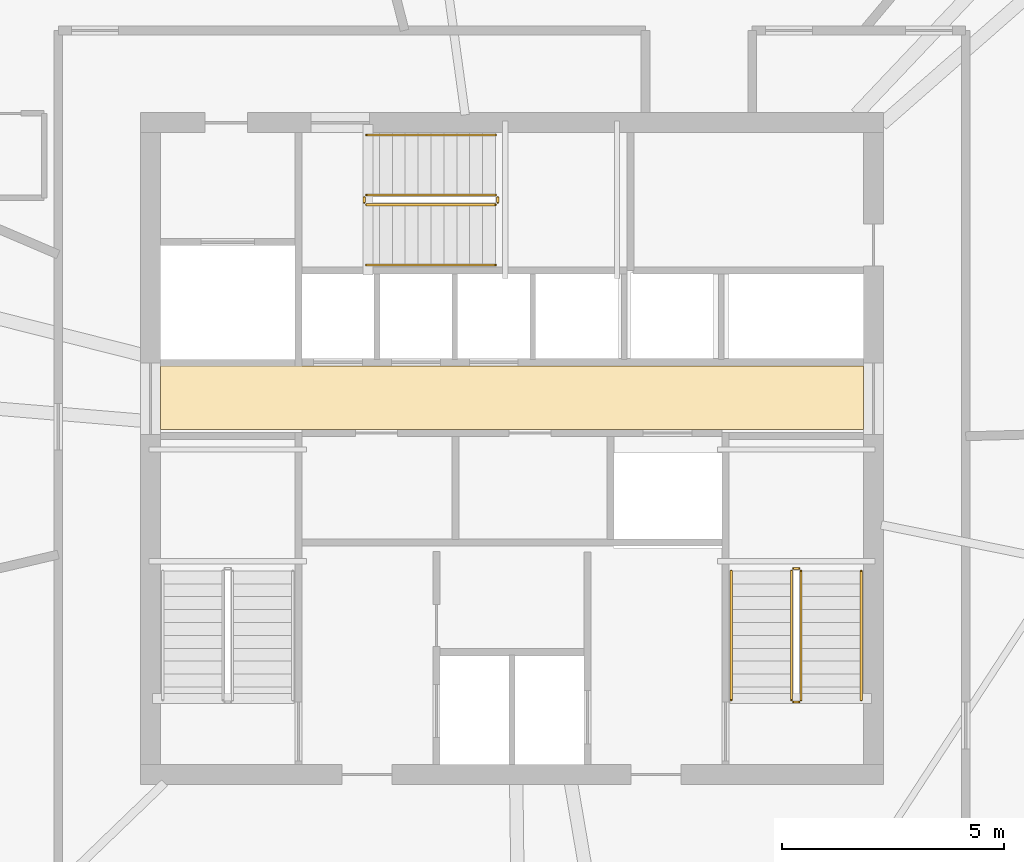
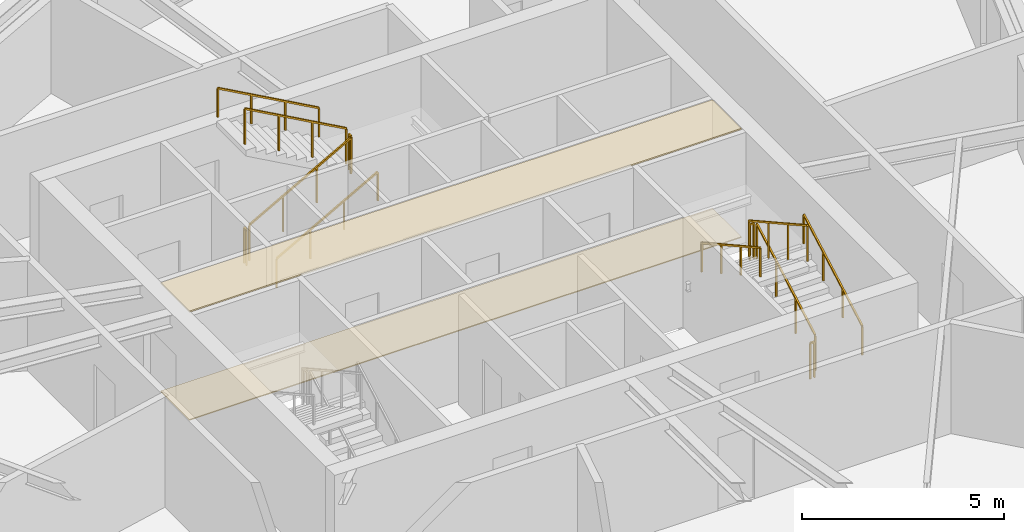
# One storey, part 13 of 14: 12 railings, 2 coverings.
"""IFC4 building model written with IfcOpenShell, lengths in metres."""

import ifcopenshell
import ifcopenshell.guid

model = None  # the IFC model being written
_history = None  # IfcOwnerHistory: only IFC2X3 demands one
_inside = {}  # id of a spatial element -> (the spatial element, [elements in it])
_under = {}  # id of a project, library or spatial element -> (it, [spatial elements below it])
_declared = {}  # id of a project -> (the project, [libraries it declares])
_typed = {}  # id of a type object -> (the type object, [elements of that type])
_made_of = {}  # id of a material, layer set ... -> (it, [elements and type objects made of it])


def new_model(schema):
    """Start an empty IFC model of exactly this schema.

    Asked for "IFC4X3", IfcOpenShell would pick the latest addendum, in which some entities
    have other attributes; the version numbers below select the first issue.
    IFC2X3 requires an IfcOwnerHistory on every rooted entity: one is made here for all.
    """
    global model, _history
    if schema == "IFC4X3":
        model = ifcopenshell.file(schema_version=(4, 3, 0, 0))
    else:
        model = ifcopenshell.file(schema=schema)
    _inside.clear()
    _under.clear()
    _declared.clear()
    _typed.clear()
    _made_of.clear()
    _history = None
    if model.schema == "IFC2X3":
        org = make("IfcOrganization", Name="unknown")
        user = make(
            "IfcPersonAndOrganization",
            ThePerson=make("IfcPerson", FamilyName="unknown"),
            TheOrganization=org,
        )
        app = make(
            "IfcApplication",
            ApplicationDeveloper=org,
            Version="unknown",
            ApplicationFullName="unknown",
            ApplicationIdentifier="unknown",
        )
        _history = make(
            "IfcOwnerHistory",
            OwningUser=user,
            OwningApplication=app,
            ChangeAction="ADDED",
            CreationDate=0,
        )
    return model


def make(cls, **values):
    """One entity of the class cls with the attributes given. An attribute that is None is left unset."""
    return model.create_entity(
        cls, **{name: value for name, value in values.items() if value is not None}
    )


def rooted(cls, **values):
    """An entity with a GlobalId (a new one), such as an element, a storey or a relation."""
    return make(cls, GlobalId=ifcopenshell.guid.new(), OwnerHistory=_history, **values)


def si_unit(unit_type, name, prefix=None):
    """IfcSIUnit, for example si_unit("LENGTHUNIT", "METRE", prefix="MILLI")."""
    return make("IfcSIUnit", UnitType=unit_type, Prefix=prefix, Name=name)


def assignment(units):
    """IfcUnitAssignment: the units of a project."""
    return None if units is None else make("IfcUnitAssignment", Units=units)


def point(xyz):
    """IfcCartesianPoint."""
    return None if xyz is None else make("IfcCartesianPoint", Coordinates=xyz)


def direction(xyz):
    """IfcDirection."""
    return None if xyz is None else make("IfcDirection", DirectionRatios=xyz)


def frame(location, z_axis=None, x_axis=None):
    """IfcAxis2Placement3D, a coordinate frame: its origin and axes. An axis left out is left unset."""
    return make(
        "IfcAxis2Placement3D",
        Location=point(location),
        Axis=direction(z_axis),
        RefDirection=direction(x_axis),
    )


def frame_2d(location, x_axis=None):
    """IfcAxis2Placement2D, a coordinate frame in the plane: its origin and x axis."""
    return make(
        "IfcAxis2Placement2D", Location=point(location), RefDirection=direction(x_axis)
    )


def origin():
    """The frame at (0, 0, 0) with its axes left unset."""
    return frame((0.0, 0.0, 0.0))


def origin_2d():
    """The frame at (0, 0) in the plane with its x axis left unset."""
    return frame_2d((0.0, 0.0))


def place(relative_to, where):
    """IfcLocalPlacement: puts the frame where relative to a parent placement (None: the world)."""
    return make(
        "IfcLocalPlacement", PlacementRelTo=relative_to, RelativePlacement=where
    )


def context(
    kind, dimensions, precision=None, world=None, true_north=None, identifier=None
):
    """IfcGeometricRepresentationContext, for example the 3D "Model" context."""
    return make(
        "IfcGeometricRepresentationContext",
        ContextIdentifier=identifier,
        ContextType=kind,
        CoordinateSpaceDimension=dimensions,
        Precision=precision,
        WorldCoordinateSystem=world,
        TrueNorth=true_north,
    )


def subcontext(parent, identifier, kind, view, scale=None):
    """IfcGeometricRepresentationSubContext, for example "Body" below "Model"."""
    return make(
        "IfcGeometricRepresentationSubContext",
        ContextIdentifier=identifier,
        ContextType=kind,
        ParentContext=parent,
        TargetScale=scale,
        TargetView=view,
    )


def project(units=None, contexts=None):
    """IfcProject with its units and contexts."""
    return rooted(
        "IfcProject",
        Name="project",
        RepresentationContexts=contexts,
        UnitsInContext=assignment(units),
    )


def spatial(cls, under=None, at=None, **own):
    """A site, building, storey or space (cls), placed at a placement, below another one or the project."""
    s = rooted(cls, ObjectPlacement=at, **own)
    if under is not None:
        _under.setdefault(under.id(), (under, []))[1].append(s)
    return s


def polyline(points):
    """IfcPolyline through the points."""
    return make("IfcPolyline", Points=[point(p) for p in points])


def profile(cls, at=None, kind="AREA", **sizes):
    """A parametric profile (cls). Its sizes go by their IFC names, for example OverallWidth=200.0."""
    return make(cls, ProfileType=kind, Position=at, **sizes)


def rectangle(**sizes):
    """IfcRectangleProfileDef."""
    return profile("IfcRectangleProfileDef", **sizes)


def outline(outer, holes=None, kind="AREA"):
    """IfcArbitraryClosedProfileDef: a profile drawn as a closed curve; with holes, ...WithVoids."""
    if holes is None:
        return make("IfcArbitraryClosedProfileDef", ProfileType=kind, OuterCurve=outer)
    return make(
        "IfcArbitraryProfileDefWithVoids",
        ProfileType=kind,
        OuterCurve=outer,
        InnerCurves=holes,
    )


def extrude(swept, where, along, depth):
    """IfcExtrudedAreaSolid: the profile swept, set in the frame where, extruded along a direction by depth."""
    return make(
        "IfcExtrudedAreaSolid",
        SweptArea=swept,
        Position=where,
        ExtrudedDirection=direction(along),
        Depth=depth,
    )


def shape(context_of_items, identifier, shape_type, items):
    """IfcShapeRepresentation: the items that make up one representation, for example the "Body"."""
    return make(
        "IfcShapeRepresentation",
        ContextOfItems=context_of_items,
        RepresentationIdentifier=identifier,
        RepresentationType=shape_type,
        Items=items,
    )


def material(Name=None, Category=None):
    """IfcMaterial."""
    return make("IfcMaterial", Name=Name, Category=Category)


def layer(
    of_material, thickness, ventilated=None, Name=None, Category=None, Priority=None
):
    """IfcMaterialLayer: one layer of a wall or slab, of a material (None: an air gap)."""
    return make(
        "IfcMaterialLayer",
        Material=of_material,
        LayerThickness=thickness,
        IsVentilated=ventilated,
        Name=Name,
        Category=Category,
        Priority=Priority,
    )


def layer_set(layers, Name=None):
    """IfcMaterialLayerSet."""
    return make("IfcMaterialLayerSet", MaterialLayers=layers, LayerSetName=Name)


def made_of(thing, what):
    """Note that an element or type object is made of a material, layer set ...; save() writes the relation."""
    if what is not None:
        _made_of.setdefault(what.id(), (what, []))[1].append(thing)
    return thing


def type_object(cls, material=None, **own):
    """A type object (cls), such as IfcWallType, which elements share."""
    return made_of(rooted(cls, **own), material)


def element(
    cls,
    number,
    at=None,
    inside=None,
    cuts=None,
    type_object=None,
    material=None,
    context=None,
    identifier="Body",
    shape_type=None,
    held_by="IfcProductDefinitionShape",
    body=None,
    shapes=None,
    **own,
):
    """One element of the class cls, such as IfcWall. Its Tag is "e" and its number.

    at: its placement. inside: the storey or other place that contains it. cuts: it is an
    opening in that element (IfcRelVoidsElement). A single representation is given by context,
    identifier, shape_type and body (its items); several are given by shapes. held_by: the class
    of the entity that holds the representations. save() writes the other relations.
    """
    e = rooted(cls, Tag="e%d" % number, ObjectPlacement=at, **own)
    if body is not None:
        shapes = [shape(context, identifier, shape_type, body)]
    if shapes is not None:
        e.Representation = make(held_by, Representations=shapes)
    if inside is not None:
        _inside.setdefault(inside.id(), (inside, []))[1].append(e)
    if cuts is not None:
        rooted(
            "IfcRelVoidsElement", RelatingBuildingElement=cuts, RelatedOpeningElement=e
        )
    if type_object is not None:
        _typed.setdefault(type_object.id(), (type_object, []))[1].append(e)
    return made_of(e, material)


def aggregate(whole, parts):
    """IfcRelAggregates: a whole, such as a stair, and the parts it consists of."""
    return rooted("IfcRelAggregates", RelatingObject=whole, RelatedObjects=parts)


def save(model, path):
    """Write the relations noted so far, then the file.

    IfcRelAggregates (storeys below a building ...), IfcRelContainedInSpatialStructure (elements
    in a storey), IfcRelDefinesByType, IfcRelAssociatesMaterial and IfcRelDeclares: one each for
    every whole, place, type object, material and project.
    """
    for whole, parts in _under.values():
        aggregate(whole, parts)
    for where, things in _inside.values():
        rooted(
            "IfcRelContainedInSpatialStructure",
            RelatedElements=things,
            RelatingStructure=where,
        )
    for kind, things in _typed.values():
        rooted("IfcRelDefinesByType", RelatedObjects=things, RelatingType=kind)
    for what, things in _made_of.values():
        rooted("IfcRelAssociatesMaterial", RelatedObjects=things, RelatingMaterial=what)
    for by, libraries in _declared.values():
        rooted("IfcRelDeclares", RelatingContext=by, RelatedDefinitions=libraries)
    model.write(path)


model = new_model("IFC4")

# Units and contexts
model_context = context("Model", 3, precision=1e-05, world=origin(), true_north=direction((0.0, 1.0)))
body_context = subcontext(model_context, "Body", "Model", "MODEL_VIEW")
ifc_project = project(units=[si_unit("LENGTHUNIT", "METRE"), si_unit("AREAUNIT", "SQUARE_METRE"), si_unit("VOLUMEUNIT", "CUBIC_METRE"), si_unit("PLANEANGLEUNIT", "RADIAN"), si_unit("MASSUNIT", "GRAM", prefix="KILO")], contexts=[model_context])

# Site, building, storey
site_placement = place(None, origin())
site = spatial("IfcSite", under=ifc_project, at=site_placement, CompositionType="ELEMENT")
building_placement = place(site_placement, origin())
building = spatial("IfcBuilding", under=site, at=building_placement, Name="Olszyna Solenne Hotel", CompositionType="ELEMENT")
storey_placement = place(building_placement, frame((0.0, 0.0, 216.699951171875)))
storey = spatial("IfcBuildingStorey", under=building, at=storey_placement, Name="L57", CompositionType="ELEMENT", Elevation=216.699951171875)

# Coverings
ifc_material_1 = material(Name="Mineral wool acoustic ceiling")
ifc_layer_1 = layer(ifc_material_1, 0.0400390625, Name="Mineral wool acoustic ceiling")
ifc_layer_set_1 = layer_set([ifc_layer_1], Name="Mineral wool acoustic ceiling")
covering_type_1 = type_object("IfcCoveringType", Name="CL-AC1", PredefinedType="CEILING", material=ifc_layer_set_1)
covering_1_placement = place(storey_placement, frame((0.0, 0.0, 3.27001953125)))
element("IfcCovering", 1, at=covering_1_placement, inside=storey, type_object=covering_type_1, Name="Lift lobby acoustic tile ceiling CL-L57-01", PredefinedType="CEILING", context=body_context, shape_type="SweptSolid", body=[
    extrude(outline(polyline([(30.10009765625, 27.030029296875), (45.89990234375, 27.030029296875), (45.89990234375, 28.4599609375), (30.10009765625, 28.4599609375), (30.10009765625, 27.030029296875)])), origin(), (0.0, 0.0, 1.0), 0.0400390625),
])
ifc_material_2 = material(Name="Ceramic floor tile")
ifc_layer_2 = layer(ifc_material_2, 0.030029296875, Name="Ceramic floor tile")
ifc_layer_set_2 = layer_set([ifc_layer_2], Name="Ceramic floor tile")
covering_type_2 = type_object("IfcCoveringType", Name="FL-TL1", PredefinedType="FLOORING", material=ifc_layer_set_2)
covering_2_placement = place(storey_placement, origin())
element("IfcCovering", 2, at=covering_2_placement, inside=storey, type_object=covering_type_2, Name="Lift lobby stoneware floor finish FLR-L57-01", PredefinedType="FLOORING", context=body_context, shape_type="SweptSolid", body=[
    extrude(outline(polyline([(30.10009765625, 27.030029296875), (45.89990234375, 27.030029296875), (45.89990234375, 28.4599609375), (30.10009765625, 28.4599609375), (30.10009765625, 27.030029296875)])), origin(), (0.0, 0.0, 1.0), 0.030029296875),
])

# Railings
ifc_material_3 = material(Name="Anodised bronze aluminium", Category="aluminium")
railing_type_1 = type_object("IfcRailingType", Name="GR-110", PredefinedType="BALUSTRADE", material=ifc_material_3)
railing_1_placement = place(storey_placement, frame((44.5, 20.949951171875, 0.161376953125)))
element("IfcRailing", 3, at=railing_1_placement, inside=storey, type_object=railing_type_1, Name="L57 ST2 stair guard 1", PredefinedType="BALUSTRADE", context=body_context, shape_type="SweptSolid", body=[
    extrude(rectangle(XDim=0.048095703125, YDim=0.048095703125, at=origin_2d()), frame((0.0, 0.0, 1.076171875), z_axis=(0.0, 0.873827439584, 0.48623616261), x_axis=(-1.0, 0.0, 0.0)), (0.0, 0.0, 1.0), 3.31884765625),
    extrude(rectangle(XDim=0.0419921875, YDim=0.0419921875, at=origin_2d()), origin(), (0.0, 0.0, 1.0), 1.052001953125),
    extrude(rectangle(XDim=0.0419921875, YDim=0.0419921875, at=origin_2d()), frame((0.0, 0.966796875, 0.537841796875)), (0.0, 0.0, 1.0), 1.052001953125),
    extrude(rectangle(XDim=0.0419921875, YDim=0.0419921875, at=origin_2d()), frame((0.0, 1.933349609375, 1.075927734375)), (0.0, 0.0, 1.0), 1.052001953125),
    extrude(rectangle(XDim=0.0419921875, YDim=0.0419921875, at=origin_2d()), frame((0.0, 2.900146484375, 1.61376953125)), (0.0, 0.0, 1.0), 1.052001953125),
])
railing_2_placement = place(storey_placement, frame((44.449951171875, 23.89990234375, 1.775146484375)))
element("IfcRailing", 4, at=railing_2_placement, inside=storey, type_object=railing_type_1, Name="L57 ST2 stair guard 2", PredefinedType="BALUSTRADE", context=body_context, shape_type="SweptSolid", body=[
    extrude(rectangle(XDim=0.048095703125, YDim=0.048095703125, at=origin_2d()), frame((0.0, 0.0, 1.076171875), z_axis=(-1.0, 0.0, 0.0), x_axis=(0.0, -1.0, 0.0)), (0.0, 0.0, 1.0), 0.119873046875),
    extrude(rectangle(XDim=0.0419921875, YDim=0.0419921875, at=origin_2d()), origin(), (0.0, 0.0, 1.0), 1.052001953125),
    extrude(rectangle(XDim=0.0419921875, YDim=0.0419921875, at=origin_2d()), frame((-0.119873046875, 0.0, 0.0)), (0.0, 0.0, 1.0), 1.052001953125),
])
railing_3_placement = place(storey_placement, frame((44.280029296875, 23.85009765625, 1.9365234375)))
element("IfcRailing", 5, at=railing_3_placement, inside=storey, type_object=railing_type_1, Name="L57 ST2 stair guard 3", PredefinedType="BALUSTRADE", context=body_context, shape_type="SweptSolid", body=[
    extrude(rectangle(XDim=0.048095703125, YDim=0.048095703125, at=origin_2d()), frame((0.0, 0.0, 1.076171875), z_axis=(0.0, -0.873858693841, 0.486179990537), x_axis=(1.0, 0.0, 0.0)), (0.0, 0.0, 1.0), 3.31884765625),
    extrude(rectangle(XDim=0.0419921875, YDim=0.0419921875, at=origin_2d()), origin(), (0.0, 0.0, 1.0), 1.052001953125),
    extrude(rectangle(XDim=0.0419921875, YDim=0.0419921875, at=origin_2d()), frame((0.0, -0.966796875, 0.537841796875)), (0.0, 0.0, 1.0), 1.052001953125),
    extrude(rectangle(XDim=0.0419921875, YDim=0.0419921875, at=origin_2d()), frame((0.0, -1.933349609375, 1.07568359375)), (0.0, 0.0, 1.0), 1.052001953125),
    extrude(rectangle(XDim=0.0419921875, YDim=0.0419921875, at=origin_2d()), frame((0.0, -2.900146484375, 1.613525390625)), (0.0, 0.0, 1.0), 1.052001953125),
])
railing_4_placement = place(storey_placement, frame((44.449951171875, 20.89990234375, 0.0)))
element("IfcRailing", 6, at=railing_4_placement, inside=storey, type_object=railing_type_1, Name="L57 ST2 stair guard 4", PredefinedType="BALUSTRADE", context=body_context, shape_type="SweptSolid", body=[
    extrude(rectangle(XDim=0.048095703125, YDim=0.048095703125, at=origin_2d()), frame((0.0, 0.0, 1.076171875), z_axis=(-1.0, 0.0, 0.0), x_axis=(0.0, -1.0, 0.0)), (0.0, 0.0, 1.0), 0.119873046875),
    extrude(rectangle(XDim=0.0419921875, YDim=0.0419921875, at=origin_2d()), origin(), (0.0, 0.0, 1.0), 1.052001953125),
    extrude(rectangle(XDim=0.0419921875, YDim=0.0419921875, at=origin_2d()), frame((-0.119873046875, 0.0, 0.0)), (0.0, 0.0, 1.0), 1.052001953125),
])
railing_5_placement = place(storey_placement, frame((34.72998046875, 32.080078125, 0.161376953125)))
element("IfcRailing", 7, at=railing_5_placement, inside=storey, type_object=railing_type_1, Name="L57 ST3 stair guard 1", PredefinedType="BALUSTRADE", context=body_context, shape_type="SweptSolid", body=[
    extrude(rectangle(XDim=0.048095703125, YDim=0.048095703125, at=origin_2d()), frame((0.0, 0.0, 1.076171875), z_axis=(0.873810046276, 0.0, 0.486267419253), x_axis=(0.0, 1.0, 0.0)), (0.0, 0.0, 1.0), 3.318603515625),
    extrude(rectangle(XDim=0.0419921875, YDim=0.0419921875, at=origin_2d()), origin(), (0.0, 0.0, 1.0), 1.052001953125),
    extrude(rectangle(XDim=0.0419921875, YDim=0.0419921875, at=origin_2d()), frame((0.966552734375, 0.0, 0.537841796875)), (0.0, 0.0, 1.0), 1.052001953125),
    extrude(rectangle(XDim=0.0419921875, YDim=0.0419921875, at=origin_2d()), frame((1.933349609375, 0.0, 1.075927734375)), (0.0, 0.0, 1.0), 1.052001953125),
    extrude(rectangle(XDim=0.0419921875, YDim=0.0419921875, at=origin_2d()), frame((2.89990234375, 0.0, 1.61376953125)), (0.0, 0.0, 1.0), 1.052001953125),
])
railing_6_placement = place(storey_placement, frame((37.679931640625, 32.1298828125, 1.775146484375)))
element("IfcRailing", 8, at=railing_6_placement, inside=storey, type_object=railing_type_1, Name="L57 ST3 stair guard 2", PredefinedType="BALUSTRADE", context=body_context, shape_type="SweptSolid", body=[
    extrude(rectangle(XDim=0.048095703125, YDim=0.048095703125, at=origin_2d()), frame((0.0, 0.0, 1.076171875), z_axis=(0.0, 1.0, 0.0), x_axis=(-1.0, 0.0, 0.0)), (0.0, 0.0, 1.0), 0.1201171875),
    extrude(rectangle(XDim=0.0419921875, YDim=0.0419921875, at=origin_2d()), origin(), (0.0, 0.0, 1.0), 1.052001953125),
    extrude(rectangle(XDim=0.0419921875, YDim=0.0419921875, at=origin_2d()), frame((0.0, 0.1201171875, 0.0)), (0.0, 0.0, 1.0), 1.052001953125),
])
railing_7_placement = place(storey_placement, frame((37.6298828125, 32.300048828125, 1.9365234375)))
element("IfcRailing", 9, at=railing_7_placement, inside=storey, type_object=railing_type_1, Name="L57 ST3 stair guard 3", PredefinedType="BALUSTRADE", context=body_context, shape_type="SweptSolid", body=[
    extrude(rectangle(XDim=0.048095703125, YDim=0.048095703125, at=origin_2d()), frame((0.0, 0.0, 1.076171875), z_axis=(-0.873841303929, 0.0, 0.486211245805), x_axis=(0.0, -1.0, 0.0)), (0.0, 0.0, 1.0), 3.318603515625),
    extrude(rectangle(XDim=0.0419921875, YDim=0.0419921875, at=origin_2d()), origin(), (0.0, 0.0, 1.0), 1.052001953125),
    extrude(rectangle(XDim=0.0419921875, YDim=0.0419921875, at=origin_2d()), frame((-0.966552734375, 0.0, 0.537841796875)), (0.0, 0.0, 1.0), 1.052001953125),
    extrude(rectangle(XDim=0.0419921875, YDim=0.0419921875, at=origin_2d()), frame((-1.933349609375, 0.0, 1.07568359375)), (0.0, 0.0, 1.0), 1.052001953125),
    extrude(rectangle(XDim=0.0419921875, YDim=0.0419921875, at=origin_2d()), frame((-2.89990234375, 0.0, 1.613525390625)), (0.0, 0.0, 1.0), 1.052001953125),
])
railing_8_placement = place(storey_placement, frame((34.679931640625, 32.1298828125, 0.0)))
element("IfcRailing", 10, at=railing_8_placement, inside=storey, type_object=railing_type_1, Name="L57 ST3 stair guard 4", PredefinedType="BALUSTRADE", context=body_context, shape_type="SweptSolid", body=[
    extrude(rectangle(XDim=0.048095703125, YDim=0.048095703125, at=origin_2d()), frame((0.0, 0.0, 1.076171875), z_axis=(0.0, 1.0, 0.0), x_axis=(-1.0, 0.0, 0.0)), (0.0, 0.0, 1.0), 0.1201171875),
    extrude(rectangle(XDim=0.0419921875, YDim=0.0419921875, at=origin_2d()), origin(), (0.0, 0.0, 1.0), 1.052001953125),
    extrude(rectangle(XDim=0.0419921875, YDim=0.0419921875, at=origin_2d()), frame((0.0, 0.1201171875, 0.0)), (0.0, 0.0, 1.0), 1.052001953125),
])
ifc_material_4 = material(Name="Steel S355J2", Category="steel")
railing_type_2 = type_object("IfcRailingType", Name="HR-090", PredefinedType="HANDRAIL", material=ifc_material_4)
railing_9_placement = place(storey_placement, frame((45.85009765625, 20.949951171875, 0.161376953125)))
element("IfcRailing", 11, at=railing_9_placement, inside=storey, type_object=railing_type_2, Name="L57 ST2 stair handrail 1", PredefinedType="HANDRAIL", context=body_context, shape_type="SweptSolid", body=[
    extrude(rectangle(XDim=0.048095703125, YDim=0.048095703125, at=origin_2d()), frame((0.0, 0.0, 0.8759765625), z_axis=(0.0, 0.873827439584, 0.48623616261), x_axis=(-1.0, 0.0, 0.0)), (0.0, 0.0, 1.0), 3.31884765625),
    extrude(rectangle(XDim=0.0419921875, YDim=0.0419921875, at=origin_2d()), origin(), (0.0, 0.0, 1.0), 0.851806640625),
    extrude(rectangle(XDim=0.0419921875, YDim=0.0419921875, at=origin_2d()), frame((0.0, 0.966796875, 0.537841796875)), (0.0, 0.0, 1.0), 0.851806640625),
    extrude(rectangle(XDim=0.0419921875, YDim=0.0419921875, at=origin_2d()), frame((0.0, 1.933349609375, 1.075927734375)), (0.0, 0.0, 1.0), 0.851806640625),
    extrude(rectangle(XDim=0.0419921875, YDim=0.0419921875, at=origin_2d()), frame((0.0, 2.900146484375, 1.61376953125)), (0.0, 0.0, 1.0), 0.851806640625),
])
railing_10_placement = place(storey_placement, frame((42.929931640625, 23.85009765625, 1.9365234375)))
element("IfcRailing", 12, at=railing_10_placement, inside=storey, type_object=railing_type_2, Name="L57 ST2 stair handrail 2", PredefinedType="HANDRAIL", context=body_context, shape_type="SweptSolid", body=[
    extrude(rectangle(XDim=0.048095703125, YDim=0.048095703125, at=origin_2d()), frame((0.0, 0.0, 0.8759765625), z_axis=(0.0, -0.873858693841, 0.486179990537), x_axis=(1.0, 0.0, 0.0)), (0.0, 0.0, 1.0), 3.31884765625),
    extrude(rectangle(XDim=0.0419921875, YDim=0.0419921875, at=origin_2d()), origin(), (0.0, 0.0, 1.0), 0.851806640625),
    extrude(rectangle(XDim=0.0419921875, YDim=0.0419921875, at=origin_2d()), frame((0.0, -0.966796875, 0.537841796875)), (0.0, 0.0, 1.0), 0.851806640625),
    extrude(rectangle(XDim=0.0419921875, YDim=0.0419921875, at=origin_2d()), frame((0.0, -1.933349609375, 1.07568359375)), (0.0, 0.0, 1.0), 0.851806640625),
    extrude(rectangle(XDim=0.0419921875, YDim=0.0419921875, at=origin_2d()), frame((0.0, -2.900146484375, 1.613525390625)), (0.0, 0.0, 1.0), 0.851806640625),
])
railing_11_placement = place(storey_placement, frame((34.72998046875, 30.72998046875, 0.161376953125)))
element("IfcRailing", 13, at=railing_11_placement, inside=storey, type_object=railing_type_2, Name="L57 ST3 stair handrail 1", PredefinedType="HANDRAIL", context=body_context, shape_type="SweptSolid", body=[
    extrude(rectangle(XDim=0.048095703125, YDim=0.048095703125, at=origin_2d()), frame((0.0, 0.0, 0.8759765625), z_axis=(0.873810046276, 0.0, 0.486267419253), x_axis=(0.0, 1.0, 0.0)), (0.0, 0.0, 1.0), 3.318603515625),
    extrude(rectangle(XDim=0.0419921875, YDim=0.0419921875, at=origin_2d()), origin(), (0.0, 0.0, 1.0), 0.851806640625),
    extrude(rectangle(XDim=0.0419921875, YDim=0.0419921875, at=origin_2d()), frame((0.966552734375, 0.0, 0.537841796875)), (0.0, 0.0, 1.0), 0.851806640625),
    extrude(rectangle(XDim=0.0419921875, YDim=0.0419921875, at=origin_2d()), frame((1.933349609375, 0.0, 1.075927734375)), (0.0, 0.0, 1.0), 0.851806640625),
    extrude(rectangle(XDim=0.0419921875, YDim=0.0419921875, at=origin_2d()), frame((2.89990234375, 0.0, 1.61376953125)), (0.0, 0.0, 1.0), 0.851806640625),
])
railing_12_placement = place(storey_placement, frame((37.6298828125, 33.64990234375, 1.9365234375)))
element("IfcRailing", 14, at=railing_12_placement, inside=storey, type_object=railing_type_2, Name="L57 ST3 stair handrail 2", PredefinedType="HANDRAIL", context=body_context, shape_type="SweptSolid", body=[
    extrude(rectangle(XDim=0.048095703125, YDim=0.048095703125, at=origin_2d()), frame((0.0, 0.0, 0.8759765625), z_axis=(-0.873841303929, 0.0, 0.486211245805), x_axis=(0.0, -1.0, 0.0)), (0.0, 0.0, 1.0), 3.318603515625),
    extrude(rectangle(XDim=0.0419921875, YDim=0.0419921875, at=origin_2d()), origin(), (0.0, 0.0, 1.0), 0.851806640625),
    extrude(rectangle(XDim=0.0419921875, YDim=0.0419921875, at=origin_2d()), frame((-0.966552734375, 0.0, 0.537841796875)), (0.0, 0.0, 1.0), 0.851806640625),
    extrude(rectangle(XDim=0.0419921875, YDim=0.0419921875, at=origin_2d()), frame((-1.933349609375, 0.0, 1.07568359375)), (0.0, 0.0, 1.0), 0.851806640625),
    extrude(rectangle(XDim=0.0419921875, YDim=0.0419921875, at=origin_2d()), frame((-2.89990234375, 0.0, 1.613525390625)), (0.0, 0.0, 1.0), 0.851806640625),
])

save(model, "model.ifc")
